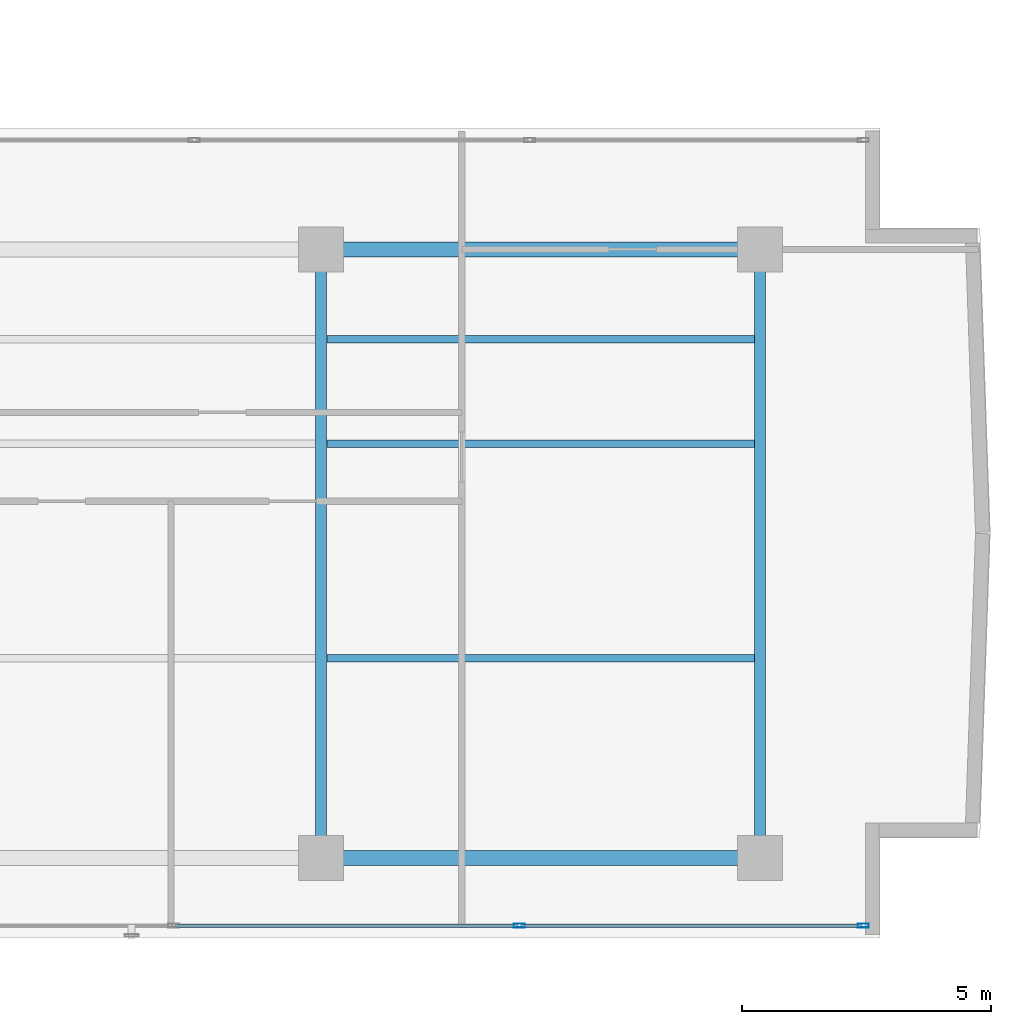
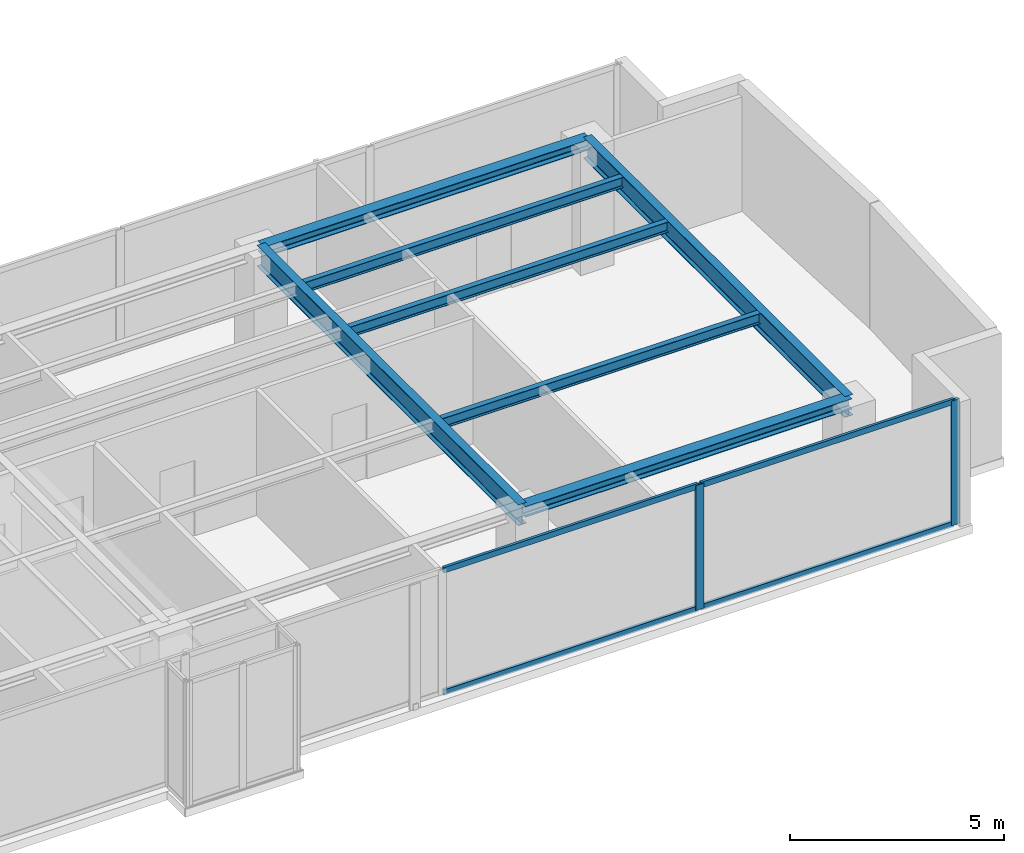
# One storey, part 11 of 22: 7 beams, 6 members, 1 element without a shape of its own.
"""IFC4 building model written with IfcOpenShell, lengths in metres."""

from ifc_helpers import new_model, si_unit, direction, frame, origin, origin_with_axes, origin_2d, place, context, subcontext, project, spatial, hollow_rectangle, i_section, extrude, source, transform, mapped, material, layer, layer_set, material_profile, profile_set, type_object, element, aggregate, save


model = new_model("IFC4")

# Units and contexts
model_context = context("Model", 3, precision=1e-05, world=origin(), true_north=direction((0.0, 1.0)))
body_context = subcontext(model_context, "Body", "Model", "MODEL_VIEW")
ifc_project = project(units=[si_unit("LENGTHUNIT", "METRE"), si_unit("AREAUNIT", "SQUARE_METRE"), si_unit("VOLUMEUNIT", "CUBIC_METRE"), si_unit("PLANEANGLEUNIT", "RADIAN"), si_unit("MASSUNIT", "GRAM", prefix="KILO")], contexts=[model_context])

# Site, building, storey
site_placement = place(None, origin())
site = spatial("IfcSite", under=ifc_project, at=site_placement, CompositionType="ELEMENT")
building_placement = place(site_placement, origin())
building = spatial("IfcBuilding", under=site, at=building_placement, Name="Kolvaren Waterfront Exchange", CompositionType="ELEMENT")
storey_placement = place(building_placement, frame((0.0, 0.0, 323.60009765625)))
storey = spatial("IfcBuildingStorey", under=building, at=storey_placement, Name="L83", CompositionType="ELEMENT", Elevation=323.60009765625)

# Beams
ifc_material_1 = material(Name="Steel S355", Category="steel")
ifc_material_profile_1 = material_profile(ifc_material_1, i_section(OverallWidth=0.300048828125, OverallDepth=0.300048828125, WebThickness=0.010986328125, FlangeThickness=0.01904296875, FilletRadius=0.027099609375, at=origin_2d()), Name="HEB300")
ifc_profile_set_1 = profile_set([ifc_material_profile_1], Name="Steel S355")
beam_type_1 = type_object("IfcBeamType", Name="STR-BM-HEB300", PredefinedType="SPANDREL", material=ifc_profile_set_1)
for number, where, z_axis, x_axis, name in (
    (1, (36.800048828125, 5.199951171875, 3.409912109375), (1.0, 0.0, 0.0), (0.0, 1.0, 0.0), "L83 east-arm spandrel S3"),
    (2, (36.800048828125, 17.39990234375, 3.409912109375), (1.0, 0.0, 0.0), (0.0, 1.0, 0.0), "L83 east-arm spandrel N3"),
):
    element("IfcBeam", number, at=place(storey_placement, frame(where, z_axis=z_axis, x_axis=x_axis)), inside=storey, type_object=beam_type_1, Name=name, PredefinedType="SPANDREL", context=body_context, shape_type="SweptSolid", body=[
        extrude(i_section(OverallWidth=0.300048828125, OverallDepth=0.300048828125, WebThickness=0.010986328125, FlangeThickness=0.01904296875, FilletRadius=0.027099609375, at=origin_2d()), origin(), (0.0, 0.0, 1.0), 8.800048828125),
    ])
ifc_material_profile_2 = material_profile(ifc_material_1, i_section(OverallWidth=0.14990234375, OverallDepth=0.300048828125, WebThickness=0.007080078125, FlangeThickness=0.0107421875, FilletRadius=0.014892578125, at=origin_2d()), Name="IPE300")
ifc_profile_set_2 = profile_set([ifc_material_profile_2], Name="Steel S355")
beam_type_2 = type_object("IfcBeamType", Name="STR-BM-IPE300", PredefinedType="JOIST", material=ifc_profile_set_2)
for number, where, z_axis, x_axis, name in (
    (3, (36.912109375, 13.5, 3.409912109375), (1.0, 0.0, 0.0), (0.0, 1.0, 0.0), "L83 east-arm composite joist 3A"),
    (4, (36.912109375, 15.60009765625, 3.409912109375), (1.0, 0.0, 0.0), (0.0, 1.0, 0.0), "L83 east-arm composite joist 3C"),
    (5, (36.912109375, 9.199951171875, 3.409912109375), (1.0, 0.0, 0.0), (0.0, 1.0, 0.0), "L83 east-arm composite joist 3B"),
):
    element("IfcBeam", number, at=place(storey_placement, frame(where, z_axis=z_axis, x_axis=x_axis)), inside=storey, type_object=beam_type_2, Name=name, PredefinedType="JOIST", context=body_context, shape_type="SweptSolid", body=[
        extrude(i_section(OverallWidth=0.14990234375, OverallDepth=0.300048828125, WebThickness=0.007080078125, FlangeThickness=0.0107421875, FilletRadius=0.014892578125, at=origin_2d()), origin(), (0.0, 0.0, 1.0), 8.575927734375),
    ])
ifc_material_profile_3 = material_profile(ifc_material_1, i_section(OverallWidth=0.219970703125, OverallDepth=0.60009765625, WebThickness=0.011962890625, FlangeThickness=0.01904296875, FilletRadius=0.02392578125, at=origin_2d()), Name="IPE600")
ifc_profile_set_3 = profile_set([ifc_material_profile_3], Name="Steel S355")
beam_type_3 = type_object("IfcBeamType", Name="STR-BM-IPE600", PredefinedType="BEAM", material=ifc_profile_set_3)
for number, where, z_axis, x_axis, name in (
    (6, (36.800048828125, 5.199951171875, 3.260009765625), (0.0, 1.0, 0.0), (-1.0, 0.0, 0.0), "L83 east-arm transverse girder X36"),
    (7, (45.60009765625, 5.199951171875, 3.260009765625), (0.0, 1.0, 0.0), (-1.0, 0.0, 0.0), "L83 east-arm transverse girder X45"),
):
    element("IfcBeam", number, at=place(storey_placement, frame(where, z_axis=z_axis, x_axis=x_axis)), inside=storey, type_object=beam_type_3, Name=name, PredefinedType="BEAM", context=body_context, shape_type="SweptSolid", body=[
        extrude(i_section(OverallWidth=0.219970703125, OverallDepth=0.60009765625, WebThickness=0.011962890625, FlangeThickness=0.01904296875, FilletRadius=0.02392578125, at=origin_2d()), origin(), (0.0, 0.0, 1.0), 12.199951171875),
    ])

# Curtain wall, members
ifc_material_2 = material(Name="Anodised bronze aluminium 6063-T6", Category="aluminium")
ifc_layer = layer(ifc_material_2, 0.219970703125, Name="Anodised bronze aluminium 6063-T6")
ifc_layer_set = layer_set([ifc_layer], Name="Anodised bronze aluminium 6063-T6")
curtain_wall_type = type_object("IfcCurtainWallType", Name="ARC-CW-SYS1", PredefinedType="USERDEFINED", material=ifc_layer_set)
curtain_wall_placement = place(storey_placement, origin())
curtain_wall = element("IfcCurtainWall", 8, at=curtain_wall_placement, inside=storey, type_object=curtain_wall_type, Name="L83 stick curtain wall CW1 (CW-L83-S)", ObjectType="STICK CURTAIN WALL", PredefinedType="USERDEFINED")
ifc_material_3 = material(Name="Anodised aluminium 6063-T6", Category="aluminium")
ifc_material_profile_4 = material_profile(ifc_material_3, hollow_rectangle(XDim=0.080078125, YDim=0.219970703125, WallThickness=0.0048828125, at=origin_2d()), Name="ALU-MUL-220x80x5")
ifc_profile_set_4 = profile_set([ifc_material_profile_4], Name="Anodised aluminium 6063-T6")
member_type_1 = type_object("IfcMemberType", Name="ARC-CWM-220", PredefinedType="MULLION", material=ifc_profile_set_4)
shared_shape_1 = source(origin_with_axes(), body_context, "Body", "SweptSolid", [
    extrude(hollow_rectangle(XDim=0.080078125, YDim=0.219970703125, WallThickness=0.0048828125, at=origin_2d()), origin(), (0.0, 0.0, 1.0), 3.559814453125),
])
member_1_placement = place(storey_placement, frame((40.775390625, 3.840087890625, 0.0), z_axis=(0.0, 0.0, 1.0), x_axis=(0.0, 1.0, 0.0)))
member_1 = element("IfcMember", 9, at=member_1_placement, type_object=member_type_1, Name="CW1 mullion 6", PredefinedType="MULLION", context=body_context, shape_type="MappedRepresentation", body=[
    mapped(shared_shape_1, transform((0.0, 0.0, 0.0), x_axis=(1.0, 0.0, 0.0), y_axis=(0.0, 1.0, 0.0), z_axis=(0.0, 0.0, 1.0), scale=1.0)),
])
member_2_placement = place(storey_placement, frame((47.67041015625, 3.840087890625, 0.0), z_axis=(0.0, 0.0, 1.0), x_axis=(0.0, 1.0, 0.0)))
member_2 = element("IfcMember", 10, at=member_2_placement, type_object=member_type_1, Name="CW1 mullion 7", PredefinedType="MULLION", context=body_context, shape_type="MappedRepresentation", body=[
    mapped(shared_shape_1, transform((0.0, 0.0, 0.0), x_axis=(1.0, 0.0, 0.0), y_axis=(0.0, 1.0, 0.0), z_axis=(0.0, 0.0, 1.0), scale=1.0)),
])
ifc_material_profile_5 = material_profile(ifc_material_3, hollow_rectangle(XDim=0.074951171875, YDim=0.159912109375, WallThickness=0.00439453125, at=origin_2d()), Name="ALU-TRN-160x75x4.5")
ifc_profile_set_5 = profile_set([ifc_material_profile_5], Name="Anodised aluminium 6063-T6")
member_type_2 = type_object("IfcMemberType", Name="ARC-CWT-160", PredefinedType="USERDEFINED", material=ifc_profile_set_5)
shared_shape_2 = source(origin_with_axes(), body_context, "Body", "SweptSolid", [
    extrude(hollow_rectangle(XDim=0.074951171875, YDim=0.159912109375, WallThickness=0.00439453125, at=origin_2d()), origin(), (0.0, 0.0, 1.0), 6.815185546875),
])
member_3_placement = place(storey_placement, frame((40.8154296875, 3.840087890625, 0.037353515625), z_axis=(1.0, 0.0, 0.0), x_axis=(0.0, 1.0, 0.0)))
member_3 = element("IfcMember", 11, at=member_3_placement, type_object=member_type_2, Name="CW1 transom 6.1", ObjectType="TRANSOM", PredefinedType="USERDEFINED", context=body_context, shape_type="MappedRepresentation", body=[
    mapped(shared_shape_2, transform((0.0, 0.0, 0.0), x_axis=(1.0, 0.0, 0.0), y_axis=(0.0, 1.0, 0.0), z_axis=(0.0, 0.0, 1.0), scale=1.0)),
])
member_4_placement = place(storey_placement, frame((40.8154296875, 3.840087890625, 3.5224609375), z_axis=(1.0, 0.0, 0.0), x_axis=(0.0, 1.0, 0.0)))
member_4 = element("IfcMember", 12, at=member_4_placement, type_object=member_type_2, Name="CW1 transom 6.2", ObjectType="TRANSOM", PredefinedType="USERDEFINED", context=body_context, shape_type="MappedRepresentation", body=[
    mapped(shared_shape_2, transform((0.0, 0.0, 0.0), x_axis=(1.0, 0.0, 0.0), y_axis=(0.0, 1.0, 0.0), z_axis=(0.0, 0.0, 1.0), scale=1.0)),
])
shared_shape_3 = source(origin_with_axes(), body_context, "Body", "SweptSolid", [
    extrude(hollow_rectangle(XDim=0.074951171875, YDim=0.159912109375, WallThickness=0.00439453125, at=origin_2d()), origin(), (0.0, 0.0, 1.0), 6.85498046875),
])
member_5_placement = place(storey_placement, frame((33.88037109375, 3.840087890625, 0.037353515625), z_axis=(1.0, 0.0, 0.0), x_axis=(0.0, 1.0, 0.0)))
member_5 = element("IfcMember", 13, at=member_5_placement, type_object=member_type_2, Name="CW1 transom 5.1", ObjectType="TRANSOM", PredefinedType="USERDEFINED", context=body_context, shape_type="MappedRepresentation", body=[
    mapped(shared_shape_3, transform((0.0, 0.0, 0.0), x_axis=(1.0, 0.0, 0.0), y_axis=(0.0, 1.0, 0.0), z_axis=(0.0, 0.0, 1.0), scale=1.0)),
])
member_6_placement = place(storey_placement, frame((33.88037109375, 3.840087890625, 3.5224609375), z_axis=(1.0, 0.0, 0.0), x_axis=(0.0, 1.0, 0.0)))
member_6 = element("IfcMember", 14, at=member_6_placement, type_object=member_type_2, Name="CW1 transom 5.2", ObjectType="TRANSOM", PredefinedType="USERDEFINED", context=body_context, shape_type="MappedRepresentation", body=[
    mapped(shared_shape_3, transform((0.0, 0.0, 0.0), x_axis=(1.0, 0.0, 0.0), y_axis=(0.0, 1.0, 0.0), z_axis=(0.0, 0.0, 1.0), scale=1.0)),
])
aggregate(curtain_wall, [member_1, member_2, member_5, member_6, member_3, member_4])

save(model, "model.ifc")
